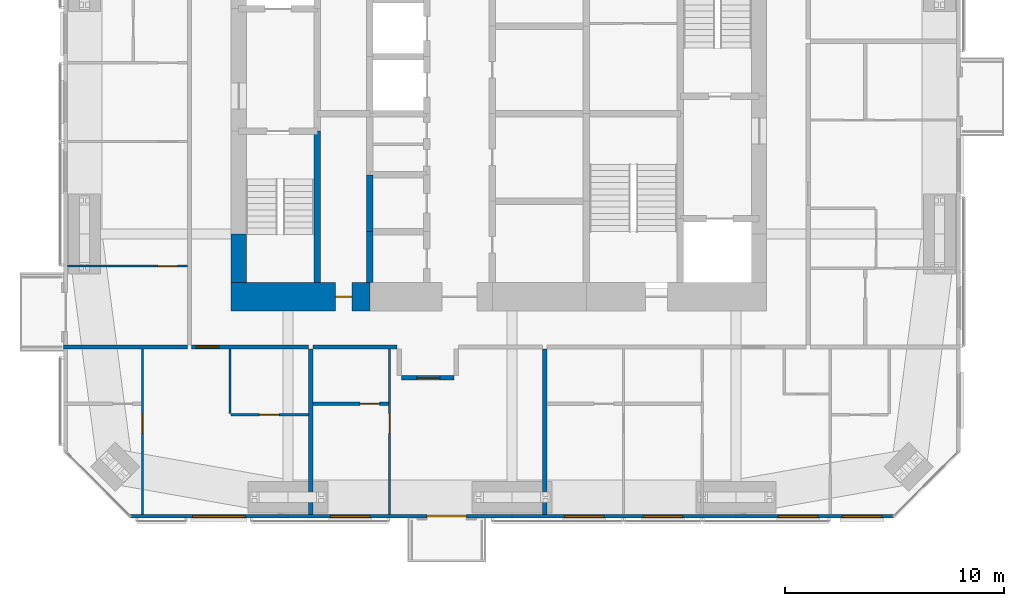
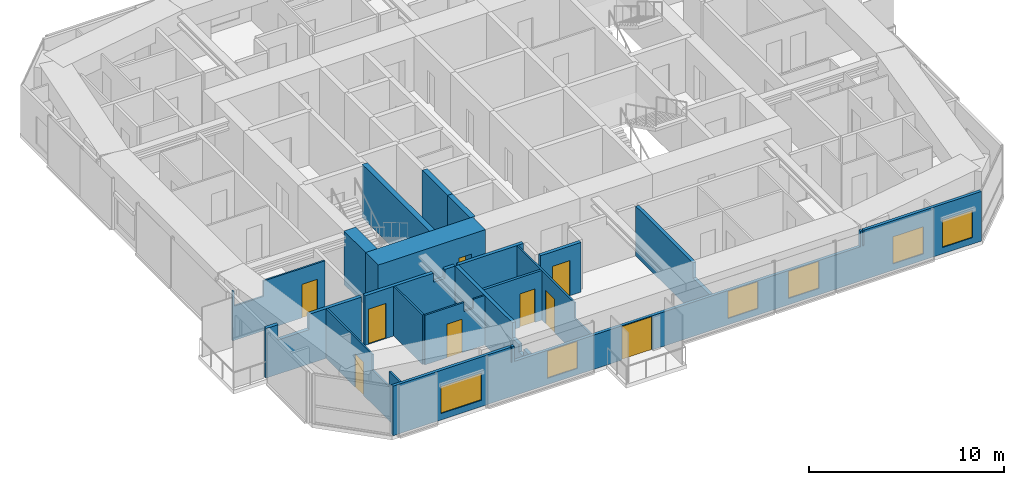
# One storey, part 16 of 23: 18 walls, 9 doors, 6 windows, 15 openings.
"""IFC4 building model written with IfcOpenShell, lengths in metres."""

from ifc_helpers import new_model, si_unit, direction, frame, frame_2d, origin, place, context, subcontext, project, spatial, polyline, rectangle, outline, extrude, material, layer, layer_set, constituent, constituent_set, type_object, element, fill, save


model = new_model("IFC4")

# Units and contexts
model_context = context("Model", 3, precision=1e-05, world=origin(), true_north=direction((0.0, 1.0)))
body_context = subcontext(model_context, "Body", "Model", "MODEL_VIEW")
ifc_project = project(units=[si_unit("LENGTHUNIT", "METRE"), si_unit("AREAUNIT", "SQUARE_METRE"), si_unit("VOLUMEUNIT", "CUBIC_METRE"), si_unit("PLANEANGLEUNIT", "RADIAN"), si_unit("MASSUNIT", "GRAM", prefix="KILO")], contexts=[model_context])

# Site, building, storey
site_placement = place(None, origin())
site = spatial("IfcSite", under=ifc_project, at=site_placement, CompositionType="ELEMENT")
building_placement = place(site_placement, origin())
building = spatial("IfcBuilding", under=site, at=building_placement, Name="Jalousie Tower", CompositionType="ELEMENT")
storey_placement = place(building_placement, frame((0.0, 0.0, 187.85009765625)))
storey = spatial("IfcBuildingStorey", under=building, at=storey_placement, Name="L51", CompositionType="ELEMENT", Elevation=187.85009765625)

# Wall, opening, door
ifc_material_1 = material(Name="Concrete block ASTM C90", Category="concrete")
ifc_constituent_1 = constituent(ifc_material_1, Name="Body")
ifc_material_2 = material(Name="Render")
ifc_constituent_2 = constituent(ifc_material_2, Name="Finish")
ifc_constituent_set_1 = constituent_set(constituents=[ifc_constituent_1, ifc_constituent_2])
wall_type_1 = type_object("IfcWallType", Name="BATHROOM WALL 150", PredefinedType="PLUMBINGWALL", material=ifc_constituent_set_1)
wall_1_placement = place(storey_placement, frame((23.39990234375, 5.22509765625, 0.0), z_axis=(0.0, 0.0, 1.0), x_axis=(1.0, 0.0, 0.0)))
wall_1 = element("IfcWall", 1, at=wall_1_placement, inside=storey, type_object=wall_type_1, Name="Bathroom Wall 150 L51", PredefinedType="PLUMBINGWALL", context=body_context, shape_type="SweptSolid", body=[
    extrude(rectangle(XDim=3.4501953125, YDim=0.14990234375, at=frame_2d((1.72509765625, 0.0))), origin(), (0.0, 0.0, 1.0), 3.10986328125),
])
opening_1_placement = place(wall_1_placement, frame((2.14990234375, 0.0, 0.0)))
opening_1 = element("IfcOpeningElement", 2, at=opening_1_placement, cuts=wall_1, Name="Opening D3", PredefinedType="OPENING", context=body_context, shape_type="SweptSolid", body=[
    extrude(rectangle(XDim=0.89990234375, YDim=2.10009765625, at=frame_2d((0.449951171875, 1.050048828125))), frame((0.0, 0.0849609375, 0.0), z_axis=(0.0, -1.0, 0.0), x_axis=(1.0, 0.0, 0.0)), (0.0, 0.0, 1.0), 0.169921875),
])
ifc_material_3 = material(Name="Timber door", Category="wood")
door_type_1 = type_object("IfcDoorType", Name="BATHROOM DOOR 900", OperationType="SINGLE_SWING_LEFT", PredefinedType="DOOR", material=ifc_material_3)
door_1_placement = place(opening_1_placement, origin())
door_1 = element("IfcDoor", 3, at=door_1_placement, inside=storey, type_object=door_type_1, Name="Apartment 5102 bedroom 1 bathroom door", OperationType="SINGLE_SWING_RIGHT", OverallHeight=2.10009765625, OverallWidth=0.89990234375, PredefinedType="DOOR", context=body_context, shape_type="SweptSolid", body=[
    extrude(rectangle(XDim=0.89990234375, YDim=2.10009765625, at=frame_2d((0.449951171875, 1.050048828125))), frame((0.0, 0.02490234375, 0.0), z_axis=(0.0, -1.0, 0.0), x_axis=(1.0, 0.0, 0.0)), (0.0, 0.0, 1.0), 0.050048828125),
])
fill(opening_1, door_1)

ifc_material_4 = material(Name="Concrete f'c 120 MPa", Category="concrete")
ifc_layer_1 = layer(ifc_material_4, 1.300048828125)
ifc_layer_set_1 = layer_set([ifc_layer_1], Name="Concrete f'c 120 MPa")
wall_type_2 = type_object("IfcWallType", Name="CORE WALL 1300", PredefinedType="SHEAR", material=ifc_layer_set_1)
wall_2_placement = place(storey_placement, frame((19.64990234375, 10.125, 0.0), z_axis=(0.0, 0.0, 1.0), x_axis=(1.0, 0.0, 0.0)))
wall_2 = element("IfcWall", 4, at=wall_2_placement, inside=storey, type_object=wall_type_2, Name="Core wall SA L51", PredefinedType="SHEAR", context=body_context, shape_type="SweptSolid", body=[
    extrude(rectangle(XDim=6.35009765625, YDim=1.300048828125, at=frame_2d((3.175048828125, 0.0))), origin(), (0.0, 0.0, 1.0), 3.349853515625),
])
opening_2_placement = place(wall_2_placement, frame((4.77490234375, 0.0, 0.0)))
opening_2 = element("IfcOpeningElement", 5, at=opening_2_placement, cuts=wall_2, Name="Opening D16", PredefinedType="OPENING", context=body_context, shape_type="SweptSolid", body=[
    extrude(rectangle(XDim=0.75, YDim=2.10009765625, at=frame_2d((0.375, 1.050048828125))), frame((0.0, 0.659912109375, 0.0), z_axis=(0.0, -1.0, 0.0), x_axis=(1.0, 0.0, 0.0)), (0.0, 0.0, 1.0), 1.320068359375),
])
ifc_material_5 = material(Name="Steel fire door", Category="steel")
door_type_2 = type_object("IfcDoorType", Name="RISER DOOR 750", OperationType="SINGLE_SWING_LEFT", PredefinedType="DOOR", material=ifc_material_5)
door_2_placement = place(opening_2_placement, origin())
door_2 = element("IfcDoor", 6, at=door_2_placement, inside=storey, type_object=door_type_2, Name="South riser door", OperationType="SINGLE_SWING_LEFT", OverallHeight=2.10009765625, OverallWidth=0.75, PredefinedType="DOOR", context=body_context, shape_type="SweptSolid", body=[
    extrude(rectangle(XDim=0.75, YDim=2.10009765625, at=frame_2d((0.375, 1.050048828125))), frame((0.0, 0.02490234375, 0.0), z_axis=(0.0, -1.0, 0.0), x_axis=(1.0, 0.0, 0.0)), (0.0, 0.0, 1.0), 0.050048828125),
])
fill(opening_2, door_2)

# Walls
ifc_material_6 = material(Name="Concrete f'c 120 MPa", Category="concrete")
ifc_layer_2 = layer(ifc_material_6, 0.300048828125)
ifc_layer_set_2 = layer_set([ifc_layer_2], Name="Concrete f'c 120 MPa")
wall_type_3 = type_object("IfcWallType", Name="CORE WALL 300", PredefinedType="SHEAR", material=ifc_layer_set_2)
wall_3_placement = place(storey_placement, frame((23.60009765625, 10.77490234375, 0.0), z_axis=(0.0, 0.0, 1.0), x_axis=(0.0, 1.0, 0.0)))
element("IfcWall", 7, at=wall_3_placement, inside=storey, type_object=wall_type_3, Name="Core wall X23.6A L51", PredefinedType="SHEAR", context=body_context, shape_type="SweptSolid", body=[
    extrude(rectangle(XDim=6.925048828125, YDim=0.300048828125, at=frame_2d((3.46240234375, 0.0))), origin(), (0.0, 0.0, 1.0), 3.349853515625),
])
wall_4_placement = place(storey_placement, frame((26.0, 10.77490234375, 0.0), z_axis=(0.0, 0.0, 1.0), x_axis=(0.0, 1.0, 0.0)))
element("IfcWall", 8, at=wall_4_placement, inside=storey, type_object=wall_type_3, Name="Core wall X26A L51", PredefinedType="SHEAR", context=body_context, shape_type="SweptSolid", body=[
    extrude(rectangle(XDim=2.3251953125, YDim=0.300048828125, at=frame_2d((1.16259765625, 0.0))), origin(), (0.0, 0.0, 1.0), 3.349853515625),
])
wall_5_placement = place(storey_placement, frame((26.0, 13.10009765625, 0.0), z_axis=(0.0, 0.0, 1.0), x_axis=(0.0, 1.0, 0.0)))
element("IfcWall", 9, at=wall_5_placement, inside=storey, type_object=wall_type_3, Name="Core wall X26B L51", PredefinedType="SHEAR", context=body_context, shape_type="SweptSolid", body=[
    extrude(rectangle(XDim=2.599853515625, YDim=0.300048828125, at=frame_2d((1.2998046875, 0.0))), origin(), (0.0, 0.0, 1.0), 3.349853515625),
])
ifc_material_7 = material(Name="Concrete f'c 120 MPa", Category="concrete")
ifc_layer_3 = layer(ifc_material_7, 0.699951171875)
ifc_layer_set_3 = layer_set([ifc_layer_3], Name="Concrete f'c 120 MPa")
wall_type_4 = type_object("IfcWallType", Name="CORE WALL 700", PredefinedType="SHEAR", material=ifc_layer_set_3)
wall_6_placement = place(storey_placement, frame((20.0, 13.0, 0.0), z_axis=(0.0, 0.0, 1.0), x_axis=(0.0, -1.0, 0.0)))
element("IfcWall", 10, at=wall_6_placement, inside=storey, type_object=wall_type_4, Name="Core wall WD L51", PredefinedType="SHEAR", context=body_context, shape_type="SweptSolid", body=[
    extrude(rectangle(XDim=2.22509765625, YDim=0.699951171875, at=frame_2d((1.112548828125, 0.0))), origin(), (0.0, 0.0, 1.0), 3.349853515625),
])

# Wall, opening, door
ifc_material_8 = material(Name="Concrete block ASTM C90", Category="concrete")
ifc_constituent_3 = constituent(ifc_material_8, Name="Body")
ifc_material_9 = material(Name="Render")
ifc_constituent_4 = constituent(ifc_material_9, Name="Finish")
ifc_constituent_set_2 = constituent_set(constituents=[ifc_constituent_3, ifc_constituent_4])
wall_type_5 = type_object("IfcWallType", Name="CORRIDOR WALL 200", PredefinedType="PARTITIONING", material=ifc_constituent_set_2)
wall_7_placement = place(storey_placement, frame((17.85009765625, 7.824951171875, 0.0), z_axis=(0.0, 0.0, 1.0), x_axis=(1.0, 0.0, 0.0)))
wall_7 = element("IfcWall", 11, at=wall_7_placement, inside=storey, type_object=wall_type_5, Name="Corridor Wall 200 L51", PredefinedType="PARTITIONING", context=body_context, shape_type="SweptSolid", body=[
    extrude(outline(polyline([(0.0, 0.0), (5.349853515625, 0.0), (5.35009765625, 3.10986328125), (4.7373046875, 3.10986328125), (4.7373046875, 2.541015625), (4.0625, 2.541015625), (4.0625, 3.10986328125), (0.0, 3.10986328125), (0.0, 0.0)])), frame((0.0, 0.10009765625, 0.0), z_axis=(0.0, -1.0, 0.0), x_axis=(1.0, 0.0, 0.0)), (0.0, 0.0, 1.0), 0.199951171875),
])
opening_3_placement = place(wall_7_placement, frame((0.199951171875, 0.0, 0.0)))
opening_3 = element("IfcOpeningElement", 12, at=opening_3_placement, cuts=wall_7, Name="Opening D1", PredefinedType="OPENING", context=body_context, shape_type="SweptSolid", body=[
    extrude(rectangle(XDim=1.050048828125, YDim=2.199951171875, at=frame_2d((0.52490234375, 1.10009765625))), frame((0.0, 0.10986328125, 0.0), z_axis=(0.0, -1.0, 0.0), x_axis=(1.0, 0.0, 0.0)), (0.0, 0.0, 1.0), 0.219970703125),
])
ifc_material_10 = material(Name="Timber fire door", Category="wood")
door_type_3 = type_object("IfcDoorType", Name="APARTMENT ENTRANCE DOOR 1050", OperationType="SINGLE_SWING_LEFT", PredefinedType="DOOR", material=ifc_material_10)
door_3_placement = place(opening_3_placement, frame((1.050048828125, 0.0, 0.0), z_axis=(0.0, 0.0, 1.0), x_axis=(-1.0, 0.0, 0.0)))
door_3 = element("IfcDoor", 13, at=door_3_placement, inside=storey, type_object=door_type_3, Name="Apartment 5101 entrance", OperationType="SINGLE_SWING_LEFT", OverallHeight=2.199951171875, OverallWidth=1.050048828125, PredefinedType="DOOR", context=body_context, shape_type="SweptSolid", body=[
    extrude(rectangle(XDim=1.050048828125, YDim=2.199951171875, at=frame_2d((0.52490234375, 1.10009765625))), frame((0.0, 0.02490234375, 0.0), z_axis=(0.0, -1.0, 0.0), x_axis=(1.0, 0.0, 0.0)), (0.0, 0.0, 1.0), 0.050048828125),
])
fill(opening_3, door_3)

# Wall
wall_8_placement = place(storey_placement, frame((23.39990234375, 7.824951171875, 0.0), z_axis=(0.0, 0.0, 1.0), x_axis=(1.0, 0.0, 0.0)))
element("IfcWall", 14, at=wall_8_placement, inside=storey, type_object=wall_type_5, Name="Corridor Wall 200 L51", PredefinedType="PARTITIONING", context=body_context, shape_type="SweptSolid", body=[
    extrude(rectangle(XDim=3.85009765625, YDim=0.199951171875, at=frame_2d((1.925048828125, 0.0))), origin(), (0.0, 0.0, 1.0), 3.10986328125),
])

# Wall, opening, door
wall_9_placement = place(storey_placement, frame((27.449951171875, 6.425048828125, 0.0), z_axis=(0.0, 0.0, 1.0), x_axis=(1.0, 0.0, 0.0)))
wall_9 = element("IfcWall", 15, at=wall_9_placement, inside=storey, type_object=wall_type_5, Name="Corridor Wall 200 L51", PredefinedType="PARTITIONING", context=body_context, shape_type="SweptSolid", body=[
    extrude(rectangle(XDim=2.400146484375, YDim=0.199951171875, at=frame_2d((1.2001953125, 0.0))), origin(), (0.0, 0.0, 1.0), 3.10986328125),
])
opening_4_placement = place(wall_9_placement, frame((0.699951171875, 0.0, 0.0)))
opening_4 = element("IfcOpeningElement", 16, at=opening_4_placement, cuts=wall_9, Name="Opening D1", PredefinedType="OPENING", context=body_context, shape_type="SweptSolid", body=[
    extrude(rectangle(XDim=1.050048828125, YDim=2.199951171875, at=frame_2d((0.52490234375, 1.10009765625))), frame((0.0, 0.10986328125, 0.0), z_axis=(0.0, -1.0, 0.0), x_axis=(1.0, 0.0, 0.0)), (0.0, 0.0, 1.0), 0.219970703125),
])
door_4_placement = place(opening_4_placement, frame((1.050048828125, 0.0, 0.0), z_axis=(0.0, 0.0, 1.0), x_axis=(-1.0, 0.0, 0.0)))
door_4 = element("IfcDoor", 17, at=door_4_placement, inside=storey, type_object=door_type_3, Name="Apartment 5102 entrance", OperationType="SINGLE_SWING_RIGHT", OverallHeight=2.199951171875, OverallWidth=1.050048828125, PredefinedType="DOOR", context=body_context, shape_type="SweptSolid", body=[
    extrude(rectangle(XDim=1.050048828125, YDim=2.199951171875, at=frame_2d((0.52490234375, 1.10009765625))), frame((0.0, 0.02490234375, 0.0), z_axis=(0.0, -1.0, 0.0), x_axis=(1.0, 0.0, 0.0)), (0.0, 0.0, 1.0), 0.050048828125),
])
fill(opening_4, door_4)

# Wall, openings, door, windows
ifc_material_11 = material(Name="Concrete f'c 40 MPa", Category="concrete")
ifc_constituent_5 = constituent(ifc_material_11, Name="Body")
ifc_material_12 = material(Name="Render, pastel lemon")
ifc_constituent_6 = constituent(ifc_material_12, Name="Finish")
ifc_constituent_set_3 = constituent_set(constituents=[ifc_constituent_5, ifc_constituent_6])
wall_type_6 = type_object("IfcWallType", Name="EXTERNAL WALL 175 LEMON RENDER", PredefinedType="SOLIDWALL", material=ifc_constituent_set_3)
wall_10_placement = place(storey_placement, frame((15.05126953125, 0.08740234375, 0.0), z_axis=(0.0, 0.0, 1.0), x_axis=(1.0, 0.0, 0.0)))
wall_10 = element("IfcWall", 18, at=wall_10_placement, inside=storey, type_object=wall_type_6, Name="External Wall 175 Lemon Render L51", PredefinedType="SOLIDWALL", context=body_context, shape_type="SweptSolid", body=[
    extrude(outline(polyline([(0.0, 0.0), (34.8974609375, 0.0), (34.8974609375, 3.10986328125), (27.91015625, 3.10986328125), (27.91015625, 2.14990234375), (27.8359375, 2.14990234375), (27.8359375, 3.10986328125), (27.69873046875, 3.10986328125), (27.69873046875, 2.14990234375), (7.19873046875, 2.14990234375), (7.19873046875, 3.10986328125), (7.0615234375, 3.10986328125), (7.0615234375, 2.14990234375), (6.9873046875, 2.14990234375), (6.9873046875, 3.10986328125), (0.0, 3.10986328125), (0.0, 0.0)])), frame((0.0, 0.08740234375, 0.0), z_axis=(0.0, -1.0, 0.0), x_axis=(1.0, 0.0, 0.0)), (0.0, 0.0, 1.0), 0.175048828125),
])
opening_5_placement = place(wall_10_placement, frame((2.840087890625, 0.0, 0.39990234375)))
opening_5 = element("IfcOpeningElement", 19, at=opening_5_placement, cuts=wall_10, Name="Opening W-LIV170", PredefinedType="OPENING", context=body_context, shape_type="SweptSolid", body=[
    extrude(rectangle(XDim=2.39990234375, YDim=1.699951171875, at=frame_2d((1.199951171875, 0.85009765625))), frame((0.0, 0.097412109375, 0.0), z_axis=(0.0, -1.0, 0.0), x_axis=(1.0, 0.0, 0.0)), (0.0, 0.0, 1.0), 0.195068359375),
])
opening_6_placement = place(wall_10_placement, frame((9.148681640625, 0.0, 0.39990234375)))
opening_6 = element("IfcOpeningElement", 20, at=opening_6_placement, cuts=wall_10, Name="Opening W-BED170", PredefinedType="OPENING", context=body_context, shape_type="SweptSolid", body=[
    extrude(rectangle(XDim=1.800048828125, YDim=1.699951171875, at=frame_2d((0.89990234375, 0.85009765625))), frame((0.0, 0.097412109375, 0.0), z_axis=(0.0, -1.0, 0.0), x_axis=(1.0, 0.0, 0.0)), (0.0, 0.0, 1.0), 0.195068359375),
])
opening_7_placement = place(wall_10_placement, frame((13.561279296875, 0.0, 0.0)))
opening_7 = element("IfcOpeningElement", 21, at=opening_7_placement, cuts=wall_10, Name="Opening D-BAL21", PredefinedType="OPENING", context=body_context, shape_type="SweptSolid", body=[
    extrude(rectangle(XDim=1.800048828125, YDim=2.10009765625, at=frame_2d((0.89990234375, 1.050048828125))), frame((0.0, 0.097412109375, 0.0), z_axis=(0.0, -1.0, 0.0), x_axis=(1.0, 0.0, 0.0)), (0.0, 0.0, 1.0), 0.195068359375),
])
opening_8_placement = place(wall_10_placement, frame((19.8486328125, 0.0, 0.39990234375)))
opening_8 = element("IfcOpeningElement", 22, at=opening_8_placement, cuts=wall_10, Name="Opening W-BED170", PredefinedType="OPENING", context=body_context, shape_type="SweptSolid", body=[
    extrude(rectangle(XDim=1.800048828125, YDim=1.699951171875, at=frame_2d((0.89990234375, 0.85009765625))), frame((0.0, 0.097412109375, 0.0), z_axis=(0.0, -1.0, 0.0), x_axis=(1.0, 0.0, 0.0)), (0.0, 0.0, 1.0), 0.195068359375),
])
opening_9_placement = place(wall_10_placement, frame((23.44873046875, 0.0, 0.39990234375)))
opening_9 = element("IfcOpeningElement", 23, at=opening_9_placement, cuts=wall_10, Name="Opening W-BED170", PredefinedType="OPENING", context=body_context, shape_type="SweptSolid", body=[
    extrude(rectangle(XDim=1.800048828125, YDim=1.699951171875, at=frame_2d((0.89990234375, 0.85009765625))), frame((0.0, 0.097412109375, 0.0), z_axis=(0.0, -1.0, 0.0), x_axis=(1.0, 0.0, 0.0)), (0.0, 0.0, 1.0), 0.195068359375),
])
opening_10_placement = place(wall_10_placement, frame((29.63623046875, 0.0, 0.39990234375)))
opening_10 = element("IfcOpeningElement", 24, at=opening_10_placement, cuts=wall_10, Name="Opening W-BED170", PredefinedType="OPENING", context=body_context, shape_type="SweptSolid", body=[
    extrude(rectangle(XDim=1.800048828125, YDim=1.699951171875, at=frame_2d((0.89990234375, 0.85009765625))), frame((0.0, 0.097412109375, 0.0), z_axis=(0.0, -1.0, 0.0), x_axis=(1.0, 0.0, 0.0)), (0.0, 0.0, 1.0), 0.195068359375),
])
opening_11_placement = place(wall_10_placement, frame((32.559814453125, 0.0, 0.39990234375)))
opening_11 = element("IfcOpeningElement", 25, at=opening_11_placement, cuts=wall_10, Name="Opening W-BED170", PredefinedType="OPENING", context=body_context, shape_type="SweptSolid", body=[
    extrude(rectangle(XDim=1.800048828125, YDim=1.699951171875, at=frame_2d((0.89990234375, 0.85009765625))), frame((0.0, 0.097412109375, 0.0), z_axis=(0.0, -1.0, 0.0), x_axis=(1.0, 0.0, 0.0)), (0.0, 0.0, 1.0), 0.195068359375),
])
ifc_material_13 = material(Name="Aluminium frame, impact-rated glazing", Category="aluminium")
door_type_4 = type_object("IfcDoorType", Name="BALCONY DOOR 1800x2100", OperationType="SLIDING_TO_LEFT", PredefinedType="DOOR", material=ifc_material_13)
door_5_placement = place(opening_7_placement, origin())
door_5 = element("IfcDoor", 26, at=door_5_placement, inside=storey, type_object=door_type_4, Name="Apartment 5102 living, dining and kitchen balcony door", OperationType="SLIDING_TO_LEFT", OverallHeight=2.10009765625, OverallWidth=1.800048828125, PredefinedType="DOOR", context=body_context, shape_type="SweptSolid", body=[
    extrude(rectangle(XDim=1.800048828125, YDim=2.10009765625, at=frame_2d((0.89990234375, 1.050048828125))), frame((0.0, 0.02490234375, 0.0), z_axis=(0.0, -1.0, 0.0), x_axis=(1.0, 0.0, 0.0)), (0.0, 0.0, 1.0), 0.050048828125),
])
fill(opening_7, door_5)
ifc_material_14 = material(Name="Aluminium frame, impact-rated glazing", Category="aluminium")
window_type_1 = type_object("IfcWindowType", Name="WINDOW BED 1800x1700", PartitioningType="SINGLE_PANEL", PredefinedType="WINDOW", material=ifc_material_14)
window_1_placement = place(opening_6_placement, origin())
window_1 = element("IfcWindow", 27, at=window_1_placement, inside=storey, type_object=window_type_1, Name="Apartment 5102 bedroom 1 window", OverallHeight=1.699951171875, OverallWidth=1.800048828125, PartitioningType="SINGLE_PANEL", PredefinedType="WINDOW", context=body_context, shape_type="SweptSolid", body=[
    extrude(rectangle(XDim=1.800048828125, YDim=1.699951171875, at=frame_2d((0.89990234375, 0.85009765625))), frame((0.0, 0.030029296875, 0.0), z_axis=(0.0, -1.0, 0.0), x_axis=(1.0, 0.0, 0.0)), (0.0, 0.0, 1.0), 0.06005859375),
])
fill(opening_6, window_1)
window_2_placement = place(opening_8_placement, origin())
window_2 = element("IfcWindow", 28, at=window_2_placement, inside=storey, type_object=window_type_1, Name="Apartment 5103 bedroom 1 window", OverallHeight=1.699951171875, OverallWidth=1.800048828125, PartitioningType="SINGLE_PANEL", PredefinedType="WINDOW", context=body_context, shape_type="SweptSolid", body=[
    extrude(rectangle(XDim=1.800048828125, YDim=1.699951171875, at=frame_2d((0.89990234375, 0.85009765625))), frame((0.0, 0.030029296875, 0.0), z_axis=(0.0, -1.0, 0.0), x_axis=(1.0, 0.0, 0.0)), (0.0, 0.0, 1.0), 0.06005859375),
])
fill(opening_8, window_2)
window_3_placement = place(opening_9_placement, origin())
window_3 = element("IfcWindow", 29, at=window_3_placement, inside=storey, type_object=window_type_1, Name="Apartment 5103 bedroom 2 window", OverallHeight=1.699951171875, OverallWidth=1.800048828125, PartitioningType="SINGLE_PANEL", PredefinedType="WINDOW", context=body_context, shape_type="SweptSolid", body=[
    extrude(rectangle(XDim=1.800048828125, YDim=1.699951171875, at=frame_2d((0.89990234375, 0.85009765625))), frame((0.0, 0.030029296875, 0.0), z_axis=(0.0, -1.0, 0.0), x_axis=(1.0, 0.0, 0.0)), (0.0, 0.0, 1.0), 0.06005859375),
])
fill(opening_9, window_3)
window_4_placement = place(opening_10_placement, origin())
window_4 = element("IfcWindow", 30, at=window_4_placement, inside=storey, type_object=window_type_1, Name="Apartment 5103 study window", OverallHeight=1.699951171875, OverallWidth=1.800048828125, PartitioningType="SINGLE_PANEL", PredefinedType="WINDOW", context=body_context, shape_type="SweptSolid", body=[
    extrude(rectangle(XDim=1.800048828125, YDim=1.699951171875, at=frame_2d((0.89990234375, 0.85009765625))), frame((0.0, 0.030029296875, 0.0), z_axis=(0.0, -1.0, 0.0), x_axis=(1.0, 0.0, 0.0)), (0.0, 0.0, 1.0), 0.06005859375),
])
fill(opening_10, window_4)
window_5_placement = place(opening_11_placement, origin())
window_5 = element("IfcWindow", 31, at=window_5_placement, inside=storey, type_object=window_type_1, Name="Apartment 5103 living and dining room window", OverallHeight=1.699951171875, OverallWidth=1.800048828125, PartitioningType="SINGLE_PANEL", PredefinedType="WINDOW", context=body_context, shape_type="SweptSolid", body=[
    extrude(rectangle(XDim=1.800048828125, YDim=1.699951171875, at=frame_2d((0.89990234375, 0.85009765625))), frame((0.0, 0.030029296875, 0.0), z_axis=(0.0, -1.0, 0.0), x_axis=(1.0, 0.0, 0.0)), (0.0, 0.0, 1.0), 0.06005859375),
])
fill(opening_11, window_5)
ifc_material_15 = material(Name="Aluminium frame, impact-rated glazing", Category="aluminium")
window_type_2 = type_object("IfcWindowType", Name="WINDOW LIV 2400x1700", PartitioningType="DOUBLE_PANEL_VERTICAL", PredefinedType="WINDOW", material=ifc_material_15)
window_6_placement = place(opening_5_placement, origin())
window_6 = element("IfcWindow", 32, at=window_6_placement, inside=storey, type_object=window_type_2, Name="Apartment 5101 living and dining room window", OverallHeight=1.699951171875, OverallWidth=2.39990234375, PartitioningType="SINGLE_PANEL", PredefinedType="WINDOW", context=body_context, shape_type="SweptSolid", body=[
    extrude(rectangle(XDim=2.39990234375, YDim=1.699951171875, at=frame_2d((1.199951171875, 0.85009765625))), frame((0.0, 0.030029296875, 0.0), z_axis=(0.0, -1.0, 0.0), x_axis=(1.0, 0.0, 0.0)), (0.0, 0.0, 1.0), 0.06005859375),
])
fill(opening_5, window_6)

# Wall, opening, door
ifc_material_16 = material(Name="Gypsum board", Category="gypsum")
ifc_constituent_7 = constituent(ifc_material_16, Name="Body")
ifc_material_17 = material(Name="Light-gauge steel studs ASTM A653 SS Grade 33", Category="steel")
ifc_constituent_8 = constituent(ifc_material_17, Name="Framing")
ifc_constituent_set_4 = constituent_set(constituents=[ifc_constituent_7, ifc_constituent_8])
wall_type_7 = type_object("IfcWallType", Name="PARTITION 100", PredefinedType="PARTITIONING", material=ifc_constituent_set_4)
wall_11_placement = place(storey_placement, frame((15.60009765625, 0.175048828125, 0.0), z_axis=(0.0, 0.0, 1.0), x_axis=(0.0, 1.0, 0.0)))
wall_11 = element("IfcWall", 33, at=wall_11_placement, inside=storey, type_object=wall_type_7, Name="Partition 100 L51", PredefinedType="PARTITIONING", context=body_context, shape_type="SweptSolid", body=[
    extrude(outline(polyline([(0.0, 0.0), (7.550048828125, 0.0), (7.550048828125, 3.10986328125), (2.825439453125, 3.10986328125), (2.825439453125, 2.14990234375), (1.07861328125, 2.14990234375), (1.07861328125, 3.10986328125), (0.0, 3.10986328125), (0.0, 0.0)])), frame((0.0, 0.050048828125, 0.0), z_axis=(0.0, -1.0, 0.0), x_axis=(1.0, 0.0, 0.0)), (0.0, 0.0, 1.0), 0.10009765625),
])
opening_12_placement = place(wall_11_placement, frame((3.699951171875, 0.0, 0.0)))
opening_12 = element("IfcOpeningElement", 34, at=opening_12_placement, cuts=wall_11, Name="Opening D2", PredefinedType="OPENING", context=body_context, shape_type="SweptSolid", body=[
    extrude(rectangle(XDim=0.89990234375, YDim=2.10009765625, at=frame_2d((0.449951171875, 1.050048828125))), frame((0.0, 0.06005859375, 0.0), z_axis=(0.0, -1.0, 0.0), x_axis=(1.0, 0.0, 0.0)), (0.0, 0.0, 1.0), 0.1201171875),
])
ifc_material_18 = material(Name="Timber door", Category="wood")
door_type_5 = type_object("IfcDoorType", Name="BEDROOM DOOR 900", OperationType="SINGLE_SWING_LEFT", PredefinedType="DOOR", material=ifc_material_18)
door_6_placement = place(opening_12_placement, origin())
door_6 = element("IfcDoor", 35, at=door_6_placement, inside=storey, type_object=door_type_5, Name="Apartment 5101 bedroom 1 door", OperationType="SINGLE_SWING_RIGHT", OverallHeight=2.10009765625, OverallWidth=0.89990234375, PredefinedType="DOOR", context=body_context, shape_type="SweptSolid", body=[
    extrude(rectangle(XDim=0.89990234375, YDim=2.10009765625, at=frame_2d((0.449951171875, 1.050048828125))), frame((0.0, 0.02490234375, 0.0), z_axis=(0.0, -1.0, 0.0), x_axis=(1.0, 0.0, 0.0)), (0.0, 0.0, 1.0), 0.050048828125),
])
fill(opening_12, door_6)

wall_12_placement = place(storey_placement, frame((19.64990234375, 4.72509765625, 0.0), z_axis=(0.0, 0.0, 1.0), x_axis=(1.0, 0.0, 0.0)))
wall_12 = element("IfcWall", 36, at=wall_12_placement, inside=storey, type_object=wall_type_7, Name="Partition 100 L51", PredefinedType="PARTITIONING", context=body_context, shape_type="SweptSolid", body=[
    extrude(outline(polyline([(0.0, 0.0), (3.550048828125, 0.0), (3.550048828125, 3.10986328125), (2.88720703125, 3.10986328125), (2.88720703125, 2.541015625), (2.3125, 2.541015625), (2.3125, 3.10986328125), (0.0, 3.10986328125), (0.0, 0.0)])), frame((0.0, 0.050048828125, 0.0), z_axis=(0.0, -1.0, 0.0), x_axis=(1.0, 0.0, 0.0)), (0.0, 0.0, 1.0), 0.10009765625),
])
opening_13_placement = place(wall_12_placement, frame((1.300048828125, 0.0, 0.0)))
opening_13 = element("IfcOpeningElement", 37, at=opening_13_placement, cuts=wall_12, Name="Opening D7", PredefinedType="OPENING", context=body_context, shape_type="SweptSolid", body=[
    extrude(rectangle(XDim=0.89990234375, YDim=2.10009765625, at=frame_2d((0.449951171875, 1.050048828125))), frame((0.0, 0.06005859375, 0.0), z_axis=(0.0, -1.0, 0.0), x_axis=(1.0, 0.0, 0.0)), (0.0, 0.0, 1.0), 0.1201171875),
])
ifc_material_19 = material(Name="Timber door", Category="wood")
door_type_6 = type_object("IfcDoorType", Name="INTERNAL DOOR 900", OperationType="SINGLE_SWING_LEFT", PredefinedType="DOOR", material=ifc_material_19)
door_7_placement = place(opening_13_placement, frame((0.89990234375, 0.0, 0.0), z_axis=(0.0, 0.0, 1.0), x_axis=(-1.0, 0.0, 0.0)))
door_7 = element("IfcDoor", 38, at=door_7_placement, inside=storey, type_object=door_type_6, Name="Apartment 5101 kitchen door", OperationType="SINGLE_SWING_LEFT", OverallHeight=2.10009765625, OverallWidth=0.89990234375, PredefinedType="DOOR", context=body_context, shape_type="SweptSolid", body=[
    extrude(rectangle(XDim=0.89990234375, YDim=2.10009765625, at=frame_2d((0.449951171875, 1.050048828125))), frame((0.0, 0.02490234375, 0.0), z_axis=(0.0, -1.0, 0.0), x_axis=(1.0, 0.0, 0.0)), (0.0, 0.0, 1.0), 0.050048828125),
])
fill(opening_13, door_7)

# Wall
wall_13_placement = place(storey_placement, frame((19.60009765625, 4.77490234375, 0.0), z_axis=(0.0, 0.0, 1.0), x_axis=(0.0, 1.0, 0.0)))
element("IfcWall", 39, at=wall_13_placement, inside=storey, type_object=wall_type_7, Name="Partition 100 L51", PredefinedType="PARTITIONING", context=body_context, shape_type="SweptSolid", body=[
    extrude(rectangle(XDim=2.9501953125, YDim=0.10009765625, at=frame_2d((1.47509765625, 0.0))), origin(), (0.0, 0.0, 1.0), 3.10986328125),
])

# Wall, opening, door
wall_14_placement = place(storey_placement, frame((26.89990234375, 0.175048828125, 0.0), z_axis=(0.0, 0.0, 1.0), x_axis=(0.0, 1.0, 0.0)))
wall_14 = element("IfcWall", 40, at=wall_14_placement, inside=storey, type_object=wall_type_7, Name="Partition 100 L51", PredefinedType="PARTITIONING", context=body_context, shape_type="SweptSolid", body=[
    extrude(outline(polyline([(0.0, 0.0), (7.550048828125, 0.0), (7.550048828125, 3.10986328125), (1.635009765625, 3.10986328125), (1.635009765625, 2.14990234375), (0.0, 2.14990234375), (0.0, 3.10986328125), (0.0, 0.0)])), frame((0.0, 0.050048828125, 0.0), z_axis=(0.0, -1.0, 0.0), x_axis=(1.0, 0.0, 0.0)), (0.0, 0.0, 1.0), 0.10009765625),
])
opening_14_placement = place(wall_14_placement, frame((3.699951171875, 0.0, 0.0)))
opening_14 = element("IfcOpeningElement", 41, at=opening_14_placement, cuts=wall_14, Name="Opening D2", PredefinedType="OPENING", context=body_context, shape_type="SweptSolid", body=[
    extrude(rectangle(XDim=0.89990234375, YDim=2.10009765625, at=frame_2d((0.449951171875, 1.050048828125))), frame((0.0, 0.06005859375, 0.0), z_axis=(0.0, -1.0, 0.0), x_axis=(1.0, 0.0, 0.0)), (0.0, 0.0, 1.0), 0.1201171875),
])
door_8_placement = place(opening_14_placement, origin())
door_8 = element("IfcDoor", 42, at=door_8_placement, inside=storey, type_object=door_type_5, Name="Apartment 5102 bedroom 1 door", OperationType="SINGLE_SWING_RIGHT", OverallHeight=2.10009765625, OverallWidth=0.89990234375, PredefinedType="DOOR", context=body_context, shape_type="SweptSolid", body=[
    extrude(rectangle(XDim=0.89990234375, YDim=2.10009765625, at=frame_2d((0.449951171875, 1.050048828125))), frame((0.0, 0.02490234375, 0.0), z_axis=(0.0, -1.0, 0.0), x_axis=(1.0, 0.0, 0.0)), (0.0, 0.0, 1.0), 0.050048828125),
])
fill(opening_14, door_8)

wall_15_placement = place(storey_placement, frame((12.175048828125, 11.52490234375, 0.0), z_axis=(0.0, 0.0, 1.0), x_axis=(1.0, 0.0, 0.0)))
wall_15 = element("IfcWall", 43, at=wall_15_placement, inside=storey, type_object=wall_type_7, Name="Partition 100 L51", PredefinedType="PARTITIONING", context=body_context, shape_type="SweptSolid", body=[
    extrude(outline(polyline([(0.0, 0.0), (5.474853515625, 0.0), (5.47509765625, 3.10986328125), (1.8359375, 3.10986328125), (1.8359375, 2.14990234375), (0.101318359375, 2.14990234375), (0.101318359375, 3.10986328125), (0.0, 3.10986328125), (0.0, 0.0)])), frame((0.0, 0.050048828125, 0.0), z_axis=(0.0, -1.0, 0.0), x_axis=(1.0, 0.0, 0.0)), (0.0, 0.0, 1.0), 0.10009765625),
])
opening_15_placement = place(wall_15_placement, frame((4.125, 0.0, 0.0)))
opening_15 = element("IfcOpeningElement", 44, at=opening_15_placement, cuts=wall_15, Name="Opening D2", PredefinedType="OPENING", context=body_context, shape_type="SweptSolid", body=[
    extrude(rectangle(XDim=0.89990234375, YDim=2.10009765625, at=frame_2d((0.449951171875, 1.050048828125))), frame((0.0, 0.06005859375, 0.0), z_axis=(0.0, -1.0, 0.0), x_axis=(1.0, 0.0, 0.0)), (0.0, 0.0, 1.0), 0.1201171875),
])
door_9_placement = place(opening_15_placement, origin())
door_9 = element("IfcDoor", 45, at=door_9_placement, inside=storey, type_object=door_type_5, Name="Apartment 5108 bedroom 1 door", OperationType="SINGLE_SWING_RIGHT", OverallHeight=2.10009765625, OverallWidth=0.89990234375, PredefinedType="DOOR", context=body_context, shape_type="SweptSolid", body=[
    extrude(rectangle(XDim=0.89990234375, YDim=2.10009765625, at=frame_2d((0.449951171875, 1.050048828125))), frame((0.0, 0.02490234375, 0.0), z_axis=(0.0, -1.0, 0.0), x_axis=(1.0, 0.0, 0.0)), (0.0, 0.0, 1.0), 0.050048828125),
])
fill(opening_15, door_9)

# Walls
ifc_material_20 = material(Name="Concrete block ASTM C90", Category="concrete")
ifc_constituent_9 = constituent(ifc_material_20, Name="Body")
ifc_material_21 = material(Name="Render")
ifc_constituent_10 = constituent(ifc_material_21, Name="Finish")
ifc_constituent_set_5 = constituent_set(constituents=[ifc_constituent_9, ifc_constituent_10])
wall_type_8 = type_object("IfcWallType", Name="PARTY WALL 200", PredefinedType="PARTITIONING", material=ifc_constituent_set_5)
wall_16_placement = place(storey_placement, frame((23.300048828125, 0.175048828125, 0.0), z_axis=(0.0, 0.0, 1.0), x_axis=(0.0, 1.0, 0.0)))
element("IfcWall", 46, at=wall_16_placement, inside=storey, type_object=wall_type_8, Name="Party Wall 200 L51", PredefinedType="PARTITIONING", context=body_context, shape_type="SweptSolid", body=[
    extrude(outline(polyline([(0.52880859375, 2.14990234375), (0.0, 2.14990234375), (0.0, 0.0), (0.52880859375, 0.0), (0.52880859375, 0.4716796875), (1.021240234375, 0.4716796875), (1.021240234375, 0.0), (7.550048828125, 0.0), (7.550048828125, 3.10986328125), (1.68505859375, 3.10986328125), (1.68505859375, 2.14990234375), (1.021240234375, 2.14990234375), (1.021240234375, 1.67822265625), (0.52880859375, 1.67822265625), (0.52880859375, 2.14990234375)])), frame((0.0, 0.10009765625, 0.0), z_axis=(0.0, -1.0, 0.0), x_axis=(1.0, 0.0, 0.0)), (0.0, 0.0, 1.0), 0.199951171875),
])
wall_17_placement = place(storey_placement, frame((34.0, 0.175048828125, 0.0), z_axis=(0.0, 0.0, 1.0), x_axis=(0.0, 1.0, 0.0)))
element("IfcWall", 47, at=wall_17_placement, inside=storey, type_object=wall_type_8, Name="Party Wall 200 L51", PredefinedType="PARTITIONING", context=body_context, shape_type="SweptSolid", body=[
    extrude(outline(polyline([(0.0, 0.0), (7.550048828125, 0.0), (7.550048828125, 3.10986328125), (1.68505859375, 3.10986328125), (1.68505859375, 2.14990234375), (0.0, 2.14990234375), (0.0, 3.10986328125), (0.0, 0.0)])), frame((0.0, 0.10009765625, 0.0), z_axis=(0.0, -1.0, 0.0), x_axis=(1.0, 0.0, 0.0)), (0.0, 0.0, 1.0), 0.199951171875),
])
wall_18_placement = place(storey_placement, frame((12.0, 7.824951171875, 0.0), z_axis=(0.0, 0.0, 1.0), x_axis=(1.0, 0.0, 0.0)))
element("IfcWall", 48, at=wall_18_placement, inside=storey, type_object=wall_type_8, Name="Party Wall 200 L51", PredefinedType="PARTITIONING", context=body_context, shape_type="SweptSolid", body=[
    extrude(outline(polyline([(0.0, 0.0), (5.64990234375, 0.0), (5.64990234375, 3.10986328125), (2.54736328125, 3.10986328125), (2.54736328125, 2.14990234375), (0.711669921875, 2.14990234375), (0.711669921875, 3.10986328125), (0.0, 3.10986328125), (0.0, 0.0)])), frame((0.0, 0.10009765625, 0.0), z_axis=(0.0, -1.0, 0.0), x_axis=(1.0, 0.0, 0.0)), (0.0, 0.0, 1.0), 0.199951171875),
])

save(model, "model.ifc")
